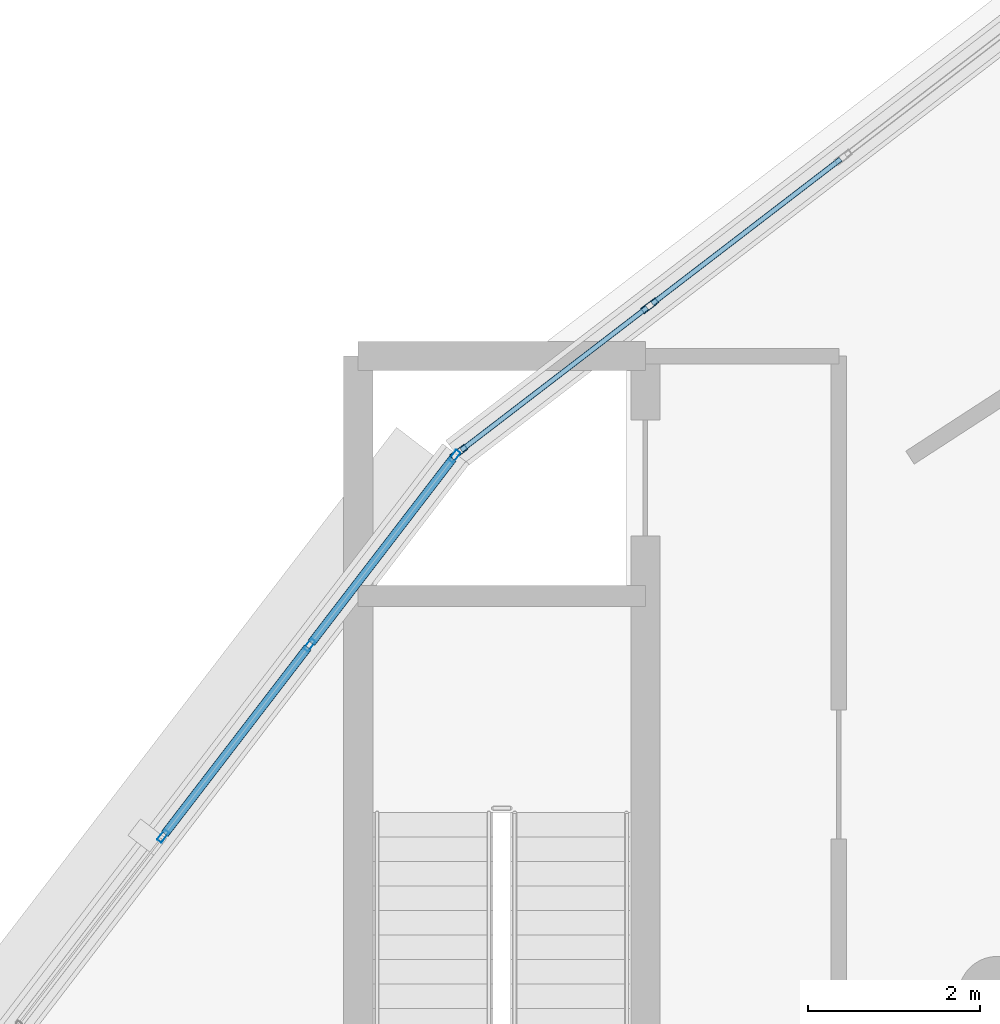
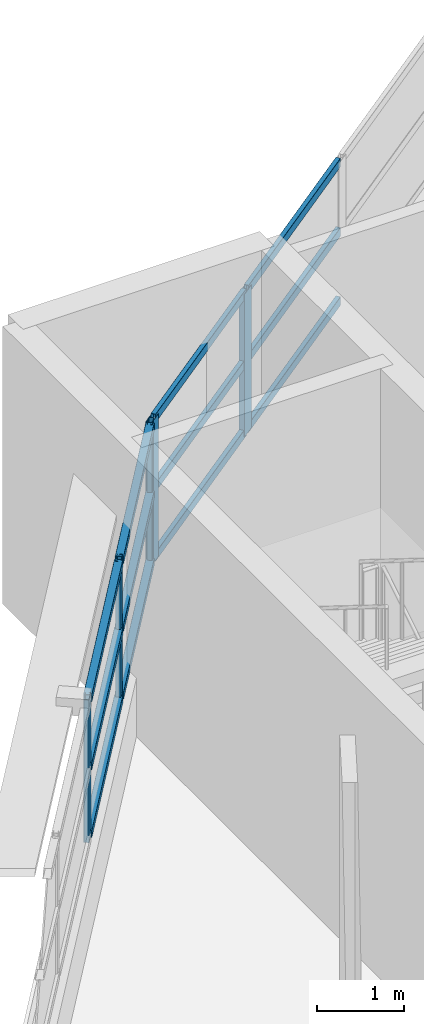
# One storey, part 37 of 88: 17 members, 2 elements without a shape of their own.
"""IFC4 building model written with IfcOpenShell, lengths in metres."""

from ifc_helpers import new_model, si_unit, direction, frame, origin, origin_2d, place, context, subcontext, project, spatial, hollow_rectangle, extrude, material, layer, layer_set, material_profile, profile_set, type_object, element, aggregate, save


model = new_model("IFC4")

# Units and contexts
model_context = context("Model", 3, precision=1e-05, world=origin(), true_north=direction((0.0, 1.0)))
body_context = subcontext(model_context, "Body", "Model", "MODEL_VIEW")
ifc_project = project(units=[si_unit("LENGTHUNIT", "METRE"), si_unit("AREAUNIT", "SQUARE_METRE"), si_unit("VOLUMEUNIT", "CUBIC_METRE"), si_unit("PLANEANGLEUNIT", "RADIAN"), si_unit("MASSUNIT", "GRAM", prefix="KILO")], contexts=[model_context])

# Site, building, storey
site_placement = place(None, origin())
site = spatial("IfcSite", under=ifc_project, at=site_placement, CompositionType="ELEMENT")
building_placement = place(site_placement, origin())
building = spatial("IfcBuilding", under=site, at=building_placement, Name="Vespera Passage Community Centre", CompositionType="ELEMENT")
storey_placement = place(building_placement, frame((0.0, 0.0, 16.5)))
storey = spatial("IfcBuildingStorey", under=building, at=storey_placement, Name="L04", CompositionType="ELEMENT", Elevation=16.5)

# Curtain wall, members
ifc_material_1 = material(Name="Anodized aluminium 6063-T6", Category="aluminium")
ifc_layer_1 = layer(ifc_material_1, 0.159912109375)
ifc_layer_set_1 = layer_set([ifc_layer_1], Name="Anodized aluminium 6063-T6")
curtain_wall_type_1 = type_object("IfcCurtainWallType", Name="CW-62E", PredefinedType="NOTDEFINED", material=ifc_layer_set_1)
curtain_wall_1_placement = place(storey_placement, origin())
curtain_wall_1 = element("IfcCurtainWall", 1, at=curtain_wall_1_placement, inside=storey, type_object=curtain_wall_type_1, Name="V4 L04 Outer Ribbon Curtain Wall 9", PredefinedType="NOTDEFINED")
ifc_material_2 = material(Name="Anodized aluminium 6063-T6", Category="aluminium")
ifc_material_profile_1 = material_profile(ifc_material_2, hollow_rectangle(XDim=0.06494140625, YDim=0.14990234375, WallThickness=0.00390625, InnerFilletRadius=0.001953125, OuterFilletRadius=0.00390625, at=origin_2d()), Name="ALU150X65X4")
ifc_profile_set_1 = profile_set([ifc_material_profile_1], Name="Anodized aluminium 6063-T6")
member_type_1 = type_object("IfcMemberType", Name="MB-CWM-150E", PredefinedType="MULLION", material=ifc_profile_set_1)
member_1_placement = place(storey_placement, frame((41.9921875, 93.653564453125, 0.820068359375), z_axis=(0.0, 0.0, 1.0), x_axis=(-0.793350429062, 0.608765222978, 0.0)))
member_1 = element("IfcMember", 2, at=member_1_placement, type_object=member_type_1, Name="CW-62E mullion 3", PredefinedType="MULLION", context=body_context, shape_type="SweptSolid", body=[
    extrude(hollow_rectangle(XDim=0.06494140625, YDim=0.14990234375, WallThickness=0.00390625, InnerFilletRadius=0.001953125, OuterFilletRadius=0.00390625, at=origin_2d()), origin(), (0.0, 0.0, 1.0), 2.005615234375),
])
member_2_placement = place(storey_placement, frame((43.697265625, 95.87548828125, 0.820068359375), z_axis=(0.0, 0.0, 1.0), x_axis=(-0.793350429062, 0.608765222978, 0.0)))
member_2 = element("IfcMember", 3, at=member_2_placement, type_object=member_type_1, Name="CW-62E mullion 4", PredefinedType="MULLION", context=body_context, shape_type="SweptSolid", body=[
    extrude(hollow_rectangle(XDim=0.06494140625, YDim=0.14990234375, WallThickness=0.00390625, InnerFilletRadius=0.001953125, OuterFilletRadius=0.00390625, at=origin_2d()), origin(), (0.0, 0.0, 1.0), 2.005615234375),
])
member_3_placement = place(storey_placement, frame((45.382568359375, 98.07177734375, 0.820068359375), z_axis=(0.0, 0.0, 1.0), x_axis=(-0.793350429062, 0.608765222978, 0.0)))
member_3 = element("IfcMember", 4, at=member_3_placement, type_object=member_type_1, Name="CW-62E mullion 5", PredefinedType="MULLION", context=body_context, shape_type="SweptSolid", body=[
    extrude(hollow_rectangle(XDim=0.06494140625, YDim=0.14990234375, WallThickness=0.00390625, InnerFilletRadius=0.001953125, OuterFilletRadius=0.00390625, at=origin_2d()), origin(), (0.0, 0.0, 1.0), 2.005615234375),
])

ifc_material_3 = material(Name="Anodized aluminium 6063-T6", Category="aluminium")
ifc_layer_2 = layer(ifc_material_3, 0.159912109375)
ifc_layer_set_2 = layer_set([ifc_layer_2], Name="Anodized aluminium 6063-T6")
curtain_wall_type_2 = type_object("IfcCurtainWallType", Name="CW-60E", PredefinedType="NOTDEFINED", material=ifc_layer_set_2)
curtain_wall_2_placement = place(storey_placement, origin())
curtain_wall_2 = element("IfcCurtainWall", 5, at=curtain_wall_2_placement, inside=storey, type_object=curtain_wall_type_2, Name="V4 L04 Outer Ribbon Curtain Wall 8", PredefinedType="NOTDEFINED")
ifc_material_4 = material(Name="Anodized aluminium 6063-T6", Category="aluminium")
ifc_material_profile_2 = material_profile(ifc_material_4, hollow_rectangle(XDim=0.074951171875, YDim=0.2099609375, WallThickness=0.0048828125, InnerFilletRadius=0.00244140625, OuterFilletRadius=0.0048828125, at=origin_2d()), Name="ALU210X75X5")
ifc_profile_set_2 = profile_set([ifc_material_profile_2], Name="Anodized aluminium 6063-T6")
member_type_2 = type_object("IfcMemberType", Name="MB-CWM-210E", PredefinedType="MULLION", material=ifc_profile_set_2)
member_4_placement = place(storey_placement, frame((45.43212890625, 98.120361328125, 0.820068359375), z_axis=(0.0, 0.0, 1.0), x_axis=(-0.608768221519, 0.793348128169, 0.0)))
member_4 = element("IfcMember", 6, at=member_4_placement, type_object=member_type_2, Name="CW-60E mullion 1", PredefinedType="MULLION", context=body_context, shape_type="SweptSolid", body=[
    extrude(hollow_rectangle(XDim=0.074951171875, YDim=0.2099609375, WallThickness=0.0048828125, InnerFilletRadius=0.00244140625, OuterFilletRadius=0.0048828125, at=origin_2d()), origin(), (0.0, 0.0, 1.0), 2.005615234375),
])
member_5_placement = place(storey_placement, frame((47.65283203125, 99.824462890625, 0.820068359375), z_axis=(0.0, 0.0, 1.0), x_axis=(-0.608768221519, 0.793348128169, 0.0)))
member_5 = element("IfcMember", 7, at=member_5_placement, type_object=member_type_2, Name="CW-60E mullion 2", PredefinedType="MULLION", context=body_context, shape_type="SweptSolid", body=[
    extrude(hollow_rectangle(XDim=0.074951171875, YDim=0.2099609375, WallThickness=0.0048828125, InnerFilletRadius=0.00244140625, OuterFilletRadius=0.0048828125, at=origin_2d()), origin(), (0.0, 0.0, 1.0), 2.005615234375),
])

# Member
ifc_material_5 = material(Name="Anodized aluminium 6063-T6", Category="aluminium")
ifc_material_profile_3 = material_profile(ifc_material_5, hollow_rectangle(XDim=0.10009765625, YDim=0.10009765625, WallThickness=0.00390625, InnerFilletRadius=0.001953125, OuterFilletRadius=0.00390625, at=origin_2d()), Name="ALU100X100X4")
ifc_profile_set_3 = profile_set([ifc_material_profile_3], Name="Anodized aluminium 6063-T6")
member_type_3 = type_object("IfcMemberType", Name="MB-CWT-100E", PredefinedType="USERDEFINED", material=ifc_profile_set_3)
member_6_placement = place(storey_placement, frame((42.011962890625, 93.67919921875, 0.8701171875), z_axis=(0.608744341023, 0.793366452072, 0.0), x_axis=(-0.793366452072, 0.608744341023, 0.0)))
member_6 = element("IfcMember", 8, at=member_6_placement, type_object=member_type_3, Name="CW-62E transom 3.1", ObjectType="TRANSOM", PredefinedType="USERDEFINED", context=body_context, shape_type="SweptSolid", body=[
    extrude(hollow_rectangle(XDim=0.10009765625, YDim=0.10009765625, WallThickness=0.00390625, InnerFilletRadius=0.001953125, OuterFilletRadius=0.00390625, at=origin_2d()), origin(), (0.0, 0.0, 1.0), 2.736083984375),
])

member_7_placement = place(storey_placement, frame((42.011962890625, 93.67919921875, 1.82275390625), z_axis=(0.608744341023, 0.793366452072, 0.0), x_axis=(-0.793366452072, 0.608744341023, 0.0)))
member_7 = element("IfcMember", 9, at=member_7_placement, type_object=member_type_3, Name="CW-62E transom 3.2", ObjectType="TRANSOM", PredefinedType="USERDEFINED", context=body_context, shape_type="SweptSolid", body=[
    extrude(hollow_rectangle(XDim=0.10009765625, YDim=0.10009765625, WallThickness=0.00390625, InnerFilletRadius=0.001953125, OuterFilletRadius=0.00390625, at=origin_2d()), origin(), (0.0, 0.0, 1.0), 2.736083984375),
])

member_8_placement = place(storey_placement, frame((42.011962890625, 93.67919921875, 2.775634765625), z_axis=(0.608744341023, 0.793366452072, 0.0), x_axis=(-0.793366452072, 0.608744341023, 0.0)))
member_8 = element("IfcMember", 10, at=member_8_placement, type_object=member_type_3, Name="CW-62E transom 3.3", ObjectType="TRANSOM", PredefinedType="USERDEFINED", context=body_context, shape_type="SweptSolid", body=[
    extrude(hollow_rectangle(XDim=0.10009765625, YDim=0.10009765625, WallThickness=0.00390625, InnerFilletRadius=0.001953125, OuterFilletRadius=0.00390625, at=origin_2d()), origin(), (0.0, 0.0, 1.0), 2.736083984375),
])

member_9_placement = place(storey_placement, frame((43.717041015625, 95.9013671875, 0.8701171875), z_axis=(0.60876327124, 0.793351926694, 0.0), x_axis=(-0.793351926694, 0.60876327124, 0.0)))
member_9 = element("IfcMember", 11, at=member_9_placement, type_object=member_type_3, Name="CW-62E transom 4.1", ObjectType="TRANSOM", PredefinedType="USERDEFINED", context=body_context, shape_type="SweptSolid", body=[
    extrude(hollow_rectangle(XDim=0.10009765625, YDim=0.10009765625, WallThickness=0.00390625, InnerFilletRadius=0.001953125, OuterFilletRadius=0.00390625, at=origin_2d()), origin(), (0.0, 0.0, 1.0), 2.703369140625),
])

member_10_placement = place(storey_placement, frame((43.717041015625, 95.9013671875, 1.82275390625), z_axis=(0.60876327124, 0.793351926694, 0.0), x_axis=(-0.793351926694, 0.60876327124, 0.0)))
member_10 = element("IfcMember", 12, at=member_10_placement, type_object=member_type_3, Name="CW-62E transom 4.2", ObjectType="TRANSOM", PredefinedType="USERDEFINED", context=body_context, shape_type="SweptSolid", body=[
    extrude(hollow_rectangle(XDim=0.10009765625, YDim=0.10009765625, WallThickness=0.00390625, InnerFilletRadius=0.001953125, OuterFilletRadius=0.00390625, at=origin_2d()), origin(), (0.0, 0.0, 1.0), 2.703369140625),
])

member_11_placement = place(storey_placement, frame((43.717041015625, 95.9013671875, 2.775634765625), z_axis=(0.60876327124, 0.793351926694, 0.0), x_axis=(-0.793351926694, 0.60876327124, 0.0)))
member_11 = element("IfcMember", 13, at=member_11_placement, type_object=member_type_3, Name="CW-62E transom 4.3", ObjectType="TRANSOM", PredefinedType="USERDEFINED", context=body_context, shape_type="SweptSolid", body=[
    extrude(hollow_rectangle(XDim=0.10009765625, YDim=0.10009765625, WallThickness=0.00390625, InnerFilletRadius=0.001953125, OuterFilletRadius=0.00390625, at=origin_2d()), origin(), (0.0, 0.0, 1.0), 2.703369140625),
])

aggregate(curtain_wall_1, [member_1, member_2, member_3, member_6, member_7, member_8, member_9, member_10, member_11])

ifc_material_6 = material(Name="Anodized aluminium 6063-T6", Category="aluminium")
ifc_material_profile_4 = material_profile(ifc_material_6, hollow_rectangle(XDim=0.06005859375, YDim=0.1201171875, WallThickness=0.00390625, InnerFilletRadius=0.001953125, OuterFilletRadius=0.00390625, at=origin_2d()), Name="ALU120X60X4")
ifc_profile_set_4 = profile_set([ifc_material_profile_4], Name="Anodized aluminium 6063-T6")
member_type_4 = type_object("IfcMemberType", Name="MB-CWT-120E", PredefinedType="USERDEFINED", material=ifc_profile_set_4)
member_12_placement = place(storey_placement, frame((45.4619140625, 98.143310546875, 0.85009765625), z_axis=(0.793326438597, 0.608796486375, 0.0), x_axis=(-0.608796486375, 0.793326438597, 0.0)))
member_12 = element("IfcMember", 14, at=member_12_placement, type_object=member_type_4, Name="CW-60E transom 1.1", ObjectType="TRANSOM", PredefinedType="USERDEFINED", context=body_context, shape_type="SweptSolid", body=[
    extrude(hollow_rectangle(XDim=0.06005859375, YDim=0.1201171875, WallThickness=0.00390625, InnerFilletRadius=0.001953125, OuterFilletRadius=0.00390625, at=origin_2d()), origin(), (0.0, 0.0, 1.0), 2.72412109375),
])

member_13_placement = place(storey_placement, frame((45.4619140625, 98.143310546875, 1.82275390625), z_axis=(0.793326438597, 0.608796486375, 0.0), x_axis=(-0.608796486375, 0.793326438597, 0.0)))
member_13 = element("IfcMember", 15, at=member_13_placement, type_object=member_type_4, Name="CW-60E transom 1.2", ObjectType="TRANSOM", PredefinedType="USERDEFINED", context=body_context, shape_type="SweptSolid", body=[
    extrude(hollow_rectangle(XDim=0.06005859375, YDim=0.1201171875, WallThickness=0.00390625, InnerFilletRadius=0.001953125, OuterFilletRadius=0.00390625, at=origin_2d()), origin(), (0.0, 0.0, 1.0), 2.72412109375),
])

member_14_placement = place(storey_placement, frame((45.4619140625, 98.143310546875, 2.795654296875), z_axis=(0.793326438597, 0.608796486375, 0.0), x_axis=(-0.608796486375, 0.793326438597, 0.0)))
member_14 = element("IfcMember", 16, at=member_14_placement, type_object=member_type_4, Name="CW-60E transom 1.3", ObjectType="TRANSOM", PredefinedType="USERDEFINED", context=body_context, shape_type="SweptSolid", body=[
    extrude(hollow_rectangle(XDim=0.06005859375, YDim=0.1201171875, WallThickness=0.00390625, InnerFilletRadius=0.001953125, OuterFilletRadius=0.00390625, at=origin_2d()), origin(), (0.0, 0.0, 1.0), 2.72412109375),
])

member_15_placement = place(storey_placement, frame((47.6826171875, 99.847412109375, 0.85009765625), z_axis=(0.793353015375, 0.608761852448, 0.0), x_axis=(-0.608761852448, 0.793353015375, 0.0)))
member_15 = element("IfcMember", 17, at=member_15_placement, type_object=member_type_4, Name="CW-60E transom 2.1", ObjectType="TRANSOM", PredefinedType="USERDEFINED", context=body_context, shape_type="SweptSolid", body=[
    extrude(hollow_rectangle(XDim=0.06005859375, YDim=0.1201171875, WallThickness=0.00390625, InnerFilletRadius=0.001953125, OuterFilletRadius=0.00390625, at=origin_2d()), origin(), (0.0, 0.0, 1.0), 2.761474609375),
])

member_16_placement = place(storey_placement, frame((47.6826171875, 99.847412109375, 1.82275390625), z_axis=(0.793353015375, 0.608761852448, 0.0), x_axis=(-0.608761852448, 0.793353015375, 0.0)))
member_16 = element("IfcMember", 18, at=member_16_placement, type_object=member_type_4, Name="CW-60E transom 2.2", ObjectType="TRANSOM", PredefinedType="USERDEFINED", context=body_context, shape_type="SweptSolid", body=[
    extrude(hollow_rectangle(XDim=0.06005859375, YDim=0.1201171875, WallThickness=0.00390625, InnerFilletRadius=0.001953125, OuterFilletRadius=0.00390625, at=origin_2d()), origin(), (0.0, 0.0, 1.0), 2.761474609375),
])

member_17_placement = place(storey_placement, frame((47.6826171875, 99.847412109375, 2.795654296875), z_axis=(0.793353015375, 0.608761852448, 0.0), x_axis=(-0.608761852448, 0.793353015375, 0.0)))
member_17 = element("IfcMember", 19, at=member_17_placement, type_object=member_type_4, Name="CW-60E transom 2.3", ObjectType="TRANSOM", PredefinedType="USERDEFINED", context=body_context, shape_type="SweptSolid", body=[
    extrude(hollow_rectangle(XDim=0.06005859375, YDim=0.1201171875, WallThickness=0.00390625, InnerFilletRadius=0.001953125, OuterFilletRadius=0.00390625, at=origin_2d()), origin(), (0.0, 0.0, 1.0), 2.761474609375),
])

aggregate(curtain_wall_2, [member_4, member_5, member_12, member_13, member_14, member_15, member_16, member_17])

save(model, "model.ifc")
